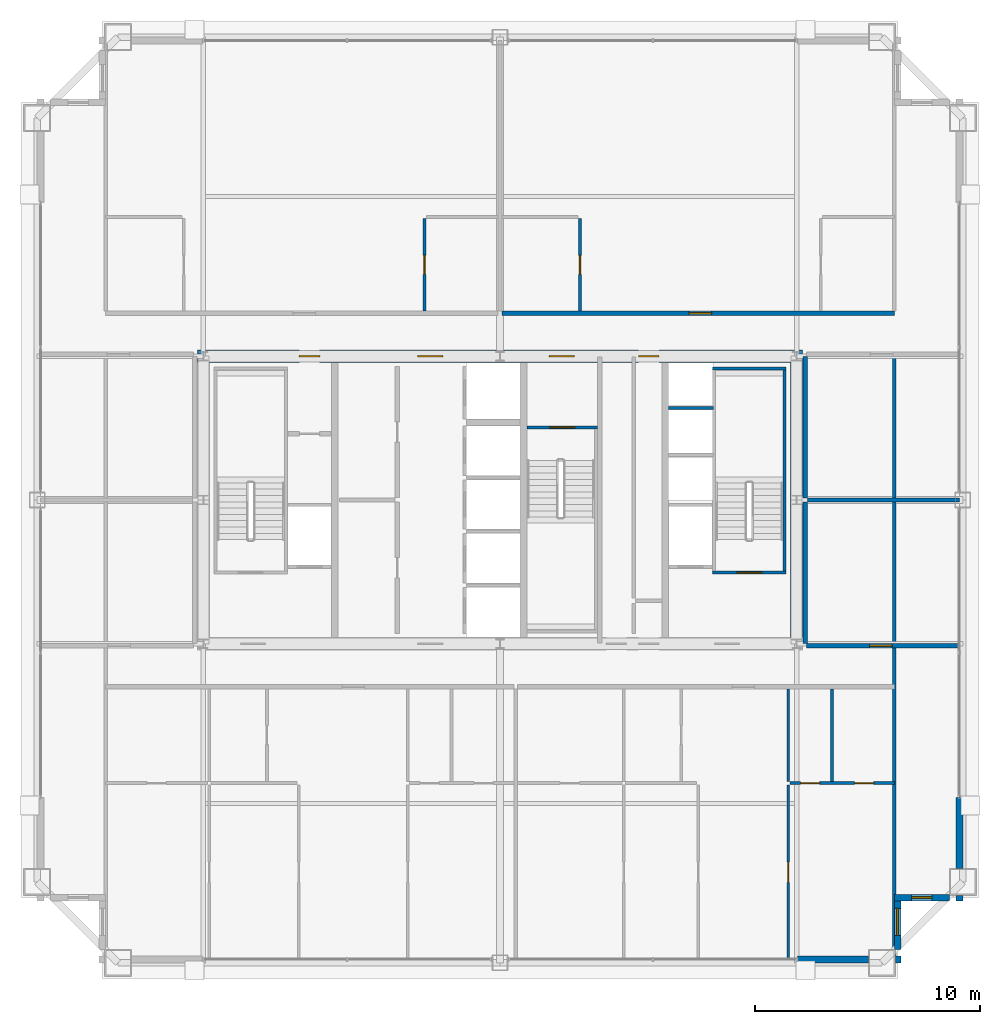
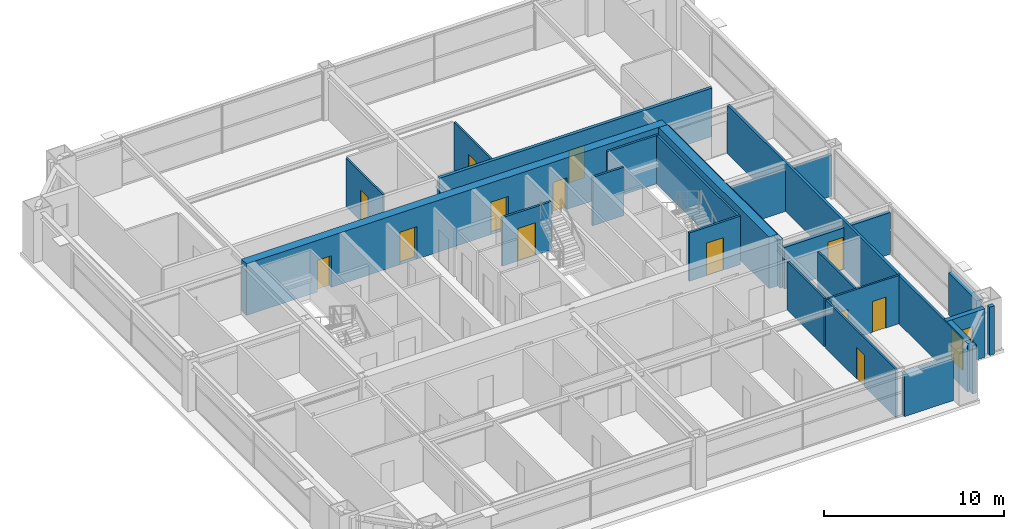
# One storey, part 34 of 36: 25 walls, 13 doors, 2 windows, 15 openings.
"""IFC4 building model written with IfcOpenShell, lengths in metres."""

from ifc_helpers import new_model, si_unit, direction, frame, frame_2d, origin, place, context, subcontext, project, spatial, rectangle, extrude, source, transform, mapped, material, layer, layer_set, type_object, element, fill, save


model = new_model("IFC4")

# Units and contexts
model_context = context("Model", 3, precision=1e-05, world=origin(), true_north=direction((0.0, 1.0)))
body_context = subcontext(model_context, "Body", "Model", "MODEL_VIEW")
ifc_project = project(units=[si_unit("LENGTHUNIT", "METRE"), si_unit("AREAUNIT", "SQUARE_METRE"), si_unit("VOLUMEUNIT", "CUBIC_METRE"), si_unit("PLANEANGLEUNIT", "RADIAN"), si_unit("MASSUNIT", "GRAM", prefix="KILO"), si_unit("THERMODYNAMICTEMPERATUREUNIT", "KELVIN"), si_unit("POWERUNIT", "WATT")], contexts=[model_context])

# Site, building, storey
site_placement = place(None, origin())
site = spatial("IfcSite", under=ifc_project, at=site_placement, CompositionType="ELEMENT")
building_placement = place(site_placement, origin())
building = spatial("IfcBuilding", under=site, at=building_placement, Name="Yuzanri Waterfront Tower", CompositionType="ELEMENT")
storey_placement = place(building_placement, frame((0.0, 0.0, 224.10009765625)))
storey = spatial("IfcBuildingStorey", under=building, at=storey_placement, Name="L59", CompositionType="ELEMENT", Elevation=224.10009765625)

# Wall, openings, doors
ifc_material_1 = material(Name="Moisture-Resistant Gypsum Stud Wall", Category="gypsum")
ifc_layer_1 = layer(ifc_material_1, 0.1201171875)
ifc_layer_set_1 = layer_set([ifc_layer_1], Name="Moisture-Resistant Gypsum Stud Wall")
wall_type_1 = type_object("IfcWallType", Name="Bathroom and Kitchen Wet Partition 120", PredefinedType="PARTITIONING", material=ifc_layer_set_1)
wall_1_placement = place(storey_placement, frame((49.9130859375, 13.199951171875, 0.0), z_axis=(0.0, 0.0, 1.0), x_axis=(1.0, 0.0, 0.0)))
wall_1 = element("IfcWall", 1, at=wall_1_placement, inside=storey, type_object=wall_type_1, Name="L59 Partition UW-L59-RS2-SUB-6-N", PredefinedType="PARTITIONING", context=body_context, shape_type="SweptSolid", body=[
    extrude(rectangle(XDim=4.64697265625, YDim=0.1201171875, at=frame_2d((2.323486328125, 0.0))), origin(), (0.0, 0.0, 1.0), 3.27978515625),
])
opening_1_placement = place(wall_1_placement, frame((2.8720703125, 0.0, 0.0)))
opening_1 = element("IfcOpeningElement", 2, at=opening_1_placement, cuts=wall_1, Name="Opening ID-0850", PredefinedType="OPENING", context=body_context, shape_type="SweptSolid", body=[
    extrude(rectangle(XDim=0.85009765625, YDim=2.10009765625, at=frame_2d((0.425048828125, 1.050048828125))), frame((0.0, 0.074951171875, 0.0), z_axis=(0.0, -1.0, 0.0), x_axis=(1.0, 0.0, 0.0)), (0.0, 0.0, 1.0), 0.14990234375),
])
opening_2_placement = place(wall_1_placement, frame((0.468505859375, 0.0, 0.0)))
opening_2 = element("IfcOpeningElement", 3, at=opening_2_placement, cuts=wall_1, Name="Opening ID-0850", PredefinedType="OPENING", context=body_context, shape_type="SweptSolid", body=[
    extrude(rectangle(XDim=0.85009765625, YDim=2.10009765625, at=frame_2d((0.425048828125, 1.050048828125))), frame((0.0, 0.074951171875, 0.0), z_axis=(0.0, -1.0, 0.0), x_axis=(1.0, 0.0, 0.0)), (0.0, 0.0, 1.0), 0.14990234375),
])
ifc_material_2 = material(Name="Moisture-Resistant Lacquered Timber", Category="wood")
door_type_1 = type_object("IfcDoorType", Name="En-Suite Bathroom and Kitchen Swing Door 850x2100", OperationType="NOTDEFINED", PredefinedType="DOOR", material=ifc_material_2)
shared_shape_1 = source(origin(), body_context, "Body", "SweptSolid", [
    extrude(rectangle(XDim=0.85009765625, YDim=2.10009765625, at=frame_2d((0.425048828125, 1.050048828125))), frame((0.0, 0.02490234375, 0.0), z_axis=(0.0, -1.0, 0.0), x_axis=(1.0, 0.0, 0.0)), (0.0, 0.0, 1.0), 0.050048828125),
])
door_1_placement = place(opening_1_placement, origin())
door_1 = element("IfcDoor", 4, at=door_1_placement, inside=storey, type_object=door_type_1, Name="L59 Suite Interior Room Door", OperationType="SINGLE_SWING_LEFT", OverallHeight=2.10009765625, OverallWidth=0.85009765625, PredefinedType="DOOR", context=body_context, shape_type="MappedRepresentation", body=[
    mapped(shared_shape_1, transform((0.0, 0.0, 0.0), scale=1.0)),
])
fill(opening_1, door_1)
door_2_placement = place(opening_2_placement, origin())
door_2 = element("IfcDoor", 5, at=door_2_placement, inside=storey, type_object=door_type_1, Name="L59 Suite Interior Room Door", OperationType="SINGLE_SWING_RIGHT", OverallHeight=2.10009765625, OverallWidth=0.85009765625, PredefinedType="DOOR", context=body_context, shape_type="MappedRepresentation", body=[
    mapped(shared_shape_1, transform((0.0, 0.0, 0.0), scale=1.0)),
])
fill(opening_2, door_2)

# Wall, opening, door
wall_2_placement = place(storey_placement, frame((49.8330078125, 5.35009765625, 0.0), z_axis=(0.0, 0.0, 1.0), x_axis=(0.0, 1.0, 0.0)))
wall_2 = element("IfcWall", 6, at=wall_2_placement, inside=storey, type_object=wall_type_1, Name="L59 Partition UW-L59-RS2-SUB-6-W", PredefinedType="PARTITIONING", context=body_context, shape_type="SweptSolid", body=[
    extrude(rectangle(XDim=7.77001953125, YDim=0.1201171875, at=frame_2d((3.885009765625, 0.0))), origin(), (0.0, 0.0, 1.0), 3.27978515625),
])
opening_3_placement = place(wall_2_placement, frame((3.43505859375, 0.0, 0.0)))
opening_3 = element("IfcOpeningElement", 7, at=opening_3_placement, cuts=wall_2, Name="Opening ID-0900", PredefinedType="OPENING", context=body_context, shape_type="SweptSolid", body=[
    extrude(rectangle(XDim=0.89990234375, YDim=2.14990234375, at=frame_2d((0.449951171875, 1.074951171875))), frame((0.0, 0.074951171875, 0.0), z_axis=(0.0, -1.0, 0.0), x_axis=(1.0, 0.0, 0.0)), (0.0, 0.0, 1.0), 0.14990234375),
])
ifc_material_3 = material(Name="Stained Walnut Veneer Timber", Category="wood")
door_type_2 = type_object("IfcDoorType", Name="Bedroom and Study Interior Swing Door 900x2150", OperationType="NOTDEFINED", PredefinedType="DOOR", material=ifc_material_3)
shared_shape_2 = source(origin(), body_context, "Body", "SweptSolid", [
    extrude(rectangle(XDim=0.89990234375, YDim=2.14990234375, at=frame_2d((0.449951171875, 1.074951171875))), frame((0.0, 0.02490234375, 0.0), z_axis=(0.0, -1.0, 0.0), x_axis=(1.0, 0.0, 0.0)), (0.0, 0.0, 1.0), 0.050048828125),
])
door_3_placement = place(opening_3_placement, origin())
door_3 = element("IfcDoor", 8, at=door_3_placement, inside=storey, type_object=door_type_2, Name="L59 Suite Interior Room Door", OperationType="SINGLE_SWING_RIGHT", OverallHeight=2.14990234375, OverallWidth=0.89990234375, PredefinedType="DOOR", context=body_context, shape_type="MappedRepresentation", body=[
    mapped(shared_shape_2, transform((0.0, 0.0, 0.0), scale=1.0)),
])
fill(opening_3, door_3)

wall_3_placement = place(storey_placement, frame((33.639892578125, 34.2099609375, 0.0), z_axis=(0.0, 0.0, 1.0), x_axis=(0.0, 1.0, 0.0)))
wall_3 = element("IfcWall", 9, at=wall_3_placement, inside=storey, type_object=wall_type_1, Name="L59 Partition UW-L59-RN1-SUB-2-W", PredefinedType="PARTITIONING", context=body_context, shape_type="SweptSolid", body=[
    extrude(rectangle(XDim=4.110107421875, YDim=0.1201171875, at=frame_2d((2.05517578125, 0.0))), origin(), (0.0, 0.0, 1.0), 3.27978515625),
])
opening_4_placement = place(wall_3_placement, frame((1.6298828125, 0.0, 0.0)))
opening_4 = element("IfcOpeningElement", 10, at=opening_4_placement, cuts=wall_3, Name="Opening ID-0850", PredefinedType="OPENING", context=body_context, shape_type="SweptSolid", body=[
    extrude(rectangle(XDim=0.85009765625, YDim=2.10009765625, at=frame_2d((0.425048828125, 1.050048828125))), frame((0.0, 0.074951171875, 0.0), z_axis=(0.0, -1.0, 0.0), x_axis=(1.0, 0.0, 0.0)), (0.0, 0.0, 1.0), 0.14990234375),
])
door_4_placement = place(opening_4_placement, origin())
door_4 = element("IfcDoor", 11, at=door_4_placement, inside=storey, type_object=door_type_1, Name="L59 Suite Interior Room Door", OperationType="SINGLE_SWING_RIGHT", OverallHeight=2.10009765625, OverallWidth=0.85009765625, PredefinedType="DOOR", context=body_context, shape_type="MappedRepresentation", body=[
    mapped(shared_shape_1, transform((0.0, 0.0, 0.0), scale=1.0)),
])
fill(opening_4, door_4)

wall_4_placement = place(storey_placement, frame((40.56005859375, 34.2099609375, 0.0), z_axis=(0.0, 0.0, 1.0), x_axis=(0.0, 1.0, 0.0)))
wall_4 = element("IfcWall", 12, at=wall_4_placement, inside=storey, type_object=wall_type_1, Name="L59 Partition UW-L59-RN2-SUB-1-E", PredefinedType="PARTITIONING", context=body_context, shape_type="SweptSolid", body=[
    extrude(rectangle(XDim=4.110107421875, YDim=0.1201171875, at=frame_2d((2.05517578125, 0.0))), origin(), (0.0, 0.0, 1.0), 3.27978515625),
])
opening_5_placement = place(wall_4_placement, frame((1.6298828125, 0.0, 0.0)))
opening_5 = element("IfcOpeningElement", 13, at=opening_5_placement, cuts=wall_4, Name="Opening ID-0850", PredefinedType="OPENING", context=body_context, shape_type="SweptSolid", body=[
    extrude(rectangle(XDim=0.85009765625, YDim=2.10009765625, at=frame_2d((0.425048828125, 1.050048828125))), frame((0.0, 0.074951171875, 0.0), z_axis=(0.0, -1.0, 0.0), x_axis=(1.0, 0.0, 0.0)), (0.0, 0.0, 1.0), 0.14990234375),
])
door_5_placement = place(opening_5_placement, origin())
door_5 = element("IfcDoor", 14, at=door_5_placement, inside=storey, type_object=door_type_1, Name="L59 Suite Interior Room Door", OperationType="SINGLE_SWING_RIGHT", OverallHeight=2.10009765625, OverallWidth=0.85009765625, PredefinedType="DOOR", context=body_context, shape_type="MappedRepresentation", body=[
    mapped(shared_shape_1, transform((0.0, 0.0, 0.0), scale=1.0)),
])
fill(opening_5, door_5)

# Wall, opening, window
ifc_material_4 = material(Name="Honed Chongqing Dark Basalt Stone", Category="masonry")
ifc_layer_2 = layer(ifc_material_4, 0.300048828125)
ifc_layer_set_2 = layer_set([ifc_layer_2], Name="Honed Chongqing Dark Basalt Stone")
wall_type_2 = type_object("IfcWallType", Name="Bronze Rainscreen Insulated Spandrel Portal Wall 300", PredefinedType="SOLIDWALL", material=ifc_layer_set_2)
wall_5_placement = place(storey_placement, frame((54.550048828125, 8.10009765625, 0.0), z_axis=(0.0, 0.0, 1.0), x_axis=(1.0, 0.0, 0.0)))
wall_5 = element("IfcWall", 15, at=wall_5_placement, inside=storey, type_object=wall_type_2, Name="L59 Notched Corner Masonry Wall SE-X", PredefinedType="SOLIDWALL", context=body_context, shape_type="SweptSolid", body=[
    extrude(rectangle(XDim=2.449951171875, YDim=0.300048828125, at=frame_2d((1.22509765625, 0.0))), origin(), (0.0, 0.0, 1.0), 3.27978515625),
])
opening_6_placement = place(wall_5_placement, frame((0.77490234375, 0.0, 0.85009765625)))
opening_6 = element("IfcOpeningElement", 16, at=opening_6_placement, cuts=wall_5, Name="Opening WN-05", PredefinedType="OPENING", context=body_context, shape_type="SweptSolid", body=[
    extrude(rectangle(XDim=0.89990234375, YDim=1.5, at=frame_2d((0.449951171875, 0.75))), frame((0.0, 0.1650390625, 0.0), z_axis=(0.0, -1.0, 0.0), x_axis=(1.0, 0.0, 0.0)), (0.0, 0.0, 1.0), 0.329833984375),
])
ifc_material_5 = material(Name="Double-Silver Low-E Insulated Glass", Category="glass")
window_type_1 = type_object("IfcWindowType", Name="Anodized Bronze Service and Stairwell Smoke-Vent Window 900x1500", PartitioningType="SINGLE_PANEL", PredefinedType="WINDOW", material=ifc_material_5)
shared_shape_3 = source(origin(), body_context, "Body", "SweptSolid", [
    extrude(rectangle(XDim=0.89990234375, YDim=1.5, at=frame_2d((0.449951171875, 0.75))), frame((0.0, 0.030029296875, 0.0), z_axis=(0.0, -1.0, 0.0), x_axis=(1.0, 0.0, 0.0)), (0.0, 0.0, 1.0), 0.06005859375),
])
window_1_placement = place(opening_6_placement, origin())
window_1 = element("IfcWindow", 17, at=window_1_placement, inside=storey, type_object=window_type_1, Name="L59 Notched Corner Window SE-X", OverallHeight=1.5, OverallWidth=0.89990234375, PartitioningType="SINGLE_PANEL", PredefinedType="WINDOW", context=body_context, shape_type="MappedRepresentation", body=[
    mapped(shared_shape_3, transform((0.0, 0.0, 0.0), scale=1.0)),
])
fill(opening_6, window_1)

wall_6_placement = place(storey_placement, frame((54.699951171875, 5.800048828125, 0.0), z_axis=(0.0, 0.0, 1.0), x_axis=(0.0, 1.0, 0.0)))
wall_6 = element("IfcWall", 18, at=wall_6_placement, inside=storey, type_object=wall_type_2, Name="L59 Notched Corner Masonry Wall SE-Y", PredefinedType="SOLIDWALL", context=body_context, shape_type="SweptSolid", body=[
    extrude(rectangle(XDim=2.449951171875, YDim=0.300048828125, at=frame_2d((1.22509765625, 0.0))), origin(), (0.0, 0.0, 1.0), 3.27978515625),
])
opening_7_placement = place(wall_6_placement, frame((0.625, 0.0, 0.85009765625)))
opening_7 = element("IfcOpeningElement", 19, at=opening_7_placement, cuts=wall_6, Name="Opening WN-02", PredefinedType="OPENING", context=body_context, shape_type="SweptSolid", body=[
    extrude(rectangle(XDim=1.199951171875, YDim=2.10009765625, at=frame_2d((0.60009765625, 1.050048828125))), frame((0.0, 0.1650390625, 0.0), z_axis=(0.0, -1.0, 0.0), x_axis=(1.0, 0.0, 0.0)), (0.0, 0.0, 1.0), 0.329833984375),
])
ifc_material_6 = material(Name="Double-Silver Low-E Insulated Glass", Category="glass")
window_type_2 = type_object("IfcWindowType", Name="Anodized Bronze Notched Corner Deep-Set Slot Window 1200x2100", PartitioningType="SINGLE_PANEL", PredefinedType="WINDOW", material=ifc_material_6)
shared_shape_4 = source(origin(), body_context, "Body", "SweptSolid", [
    extrude(rectangle(XDim=1.199951171875, YDim=2.10009765625, at=frame_2d((0.60009765625, 1.050048828125))), frame((0.0, 0.030029296875, 0.0), z_axis=(0.0, -1.0, 0.0), x_axis=(1.0, 0.0, 0.0)), (0.0, 0.0, 1.0), 0.06005859375),
])
window_2_placement = place(opening_7_placement, origin())
window_2 = element("IfcWindow", 20, at=window_2_placement, inside=storey, type_object=window_type_2, Name="L59 Notched Corner Window SE-Y", OverallHeight=2.10009765625, OverallWidth=1.199951171875, PartitioningType="SINGLE_PANEL", PredefinedType="WINDOW", context=body_context, shape_type="MappedRepresentation", body=[
    mapped(shared_shape_4, transform((0.0, 0.0, 0.0), scale=1.0)),
])
fill(opening_7, window_2)

# Wall, openings, doors
ifc_material_7 = material(Name="Concrete C50", Category="concrete")
ifc_layer_3 = layer(ifc_material_7, 0.550048828125)
ifc_layer_set_3 = layer_set([ifc_layer_3], Name="Concrete C50")
wall_type_3 = type_object("IfcWallType", Name="Concrete C50 Upper-Mid Zone Core Shear Wall 550", PredefinedType="SHEAR", material=ifc_layer_set_3)
wall_7_placement = place(storey_placement, frame((23.52490234375, 32.199951171875, 0.0), z_axis=(0.0, 0.0, 1.0), x_axis=(1.0, 0.0, 0.0)))
wall_7 = element("IfcWall", 21, at=wall_7_placement, inside=storey, type_object=wall_type_3, Name="L59 Core North Shear Wall", PredefinedType="SHEAR", context=body_context, shape_type="SweptSolid", body=[
    extrude(rectangle(XDim=26.9501953125, YDim=0.550048828125, at=frame_2d((13.47509765625, 0.0))), origin(), (0.0, 0.0, 1.0), 3.5),
])
opening_8_placement = place(wall_7_placement, frame((4.544921875, 0.0, 0.0)))
opening_8 = element("IfcOpeningElement", 22, at=opening_8_placement, cuts=wall_7, Name="Opening FD-0900", PredefinedType="OPENING", context=body_context, shape_type="SweptSolid", body=[
    extrude(rectangle(XDim=0.89990234375, YDim=2.14990234375, at=frame_2d((0.449951171875, 1.074951171875))), frame((0.0, 0.2900390625, 0.0), z_axis=(0.0, -1.0, 0.0), x_axis=(1.0, 0.0, 0.0)), (0.0, 0.0, 1.0), 0.579833984375),
])
opening_9_placement = place(wall_7_placement, frame((9.824951171875, 0.0, 0.0)))
opening_9 = element("IfcOpeningElement", 23, at=opening_9_placement, cuts=wall_7, Name="Opening FD-1100", PredefinedType="OPENING", context=body_context, shape_type="SweptSolid", body=[
    extrude(rectangle(XDim=1.10009765625, YDim=2.199951171875, at=frame_2d((0.550048828125, 1.10009765625))), frame((0.0, 0.2900390625, 0.0), z_axis=(0.0, -1.0, 0.0), x_axis=(1.0, 0.0, 0.0)), (0.0, 0.0, 1.0), 0.579833984375),
])
opening_10_placement = place(wall_7_placement, frame((15.675048828125, 0.0, 0.0)))
opening_10 = element("IfcOpeningElement", 24, at=opening_10_placement, cuts=wall_7, Name="Opening FD-1100", PredefinedType="OPENING", context=body_context, shape_type="SweptSolid", body=[
    extrude(rectangle(XDim=1.10009765625, YDim=2.199951171875, at=frame_2d((0.550048828125, 1.10009765625))), frame((0.0, 0.2900390625, 0.0), z_axis=(0.0, -1.0, 0.0), x_axis=(1.0, 0.0, 0.0)), (0.0, 0.0, 1.0), 0.579833984375),
])
opening_11_placement = place(wall_7_placement, frame((19.64501953125, 0.0, 0.0)))
opening_11 = element("IfcOpeningElement", 25, at=opening_11_placement, cuts=wall_7, Name="Opening FD-0900", PredefinedType="OPENING", context=body_context, shape_type="SweptSolid", body=[
    extrude(rectangle(XDim=0.89990234375, YDim=2.14990234375, at=frame_2d((0.449951171875, 1.074951171875))), frame((0.0, 0.2900390625, 0.0), z_axis=(0.0, -1.0, 0.0), x_axis=(1.0, 0.0, 0.0)), (0.0, 0.0, 1.0), 0.579833984375),
])
ifc_material_8 = material(Name="Painted Galvanized Fire Steel", Category="steel")
door_type_3 = type_object("IfcDoorType", Name="Smoke-Proof Stair and Lobby Fire Door 1100x2200", OperationType="NOTDEFINED", PredefinedType="DOOR", material=ifc_material_8)
shared_shape_5 = source(origin(), body_context, "Body", "SweptSolid", [
    extrude(rectangle(XDim=1.10009765625, YDim=2.199951171875, at=frame_2d((0.550048828125, 1.10009765625))), frame((0.0, 0.02490234375, 0.0), z_axis=(0.0, -1.0, 0.0), x_axis=(1.0, 0.0, 0.0)), (0.0, 0.0, 1.0), 0.050048828125),
])
door_6_placement = place(opening_9_placement, origin())
door_6 = element("IfcDoor", 26, at=door_6_placement, inside=storey, type_object=door_type_3, Name="L59 Central Lift Lobby North Door", OperationType="SINGLE_SWING_RIGHT", OverallHeight=2.199951171875, OverallWidth=1.10009765625, PredefinedType="DOOR", context=body_context, shape_type="MappedRepresentation", body=[
    mapped(shared_shape_5, transform((0.0, 0.0, 0.0), scale=1.0)),
])
fill(opening_9, door_6)
door_7_placement = place(opening_10_placement, origin())
door_7 = element("IfcDoor", 27, at=door_7_placement, inside=storey, type_object=door_type_3, Name="L59 North Stair Lobby Door", OperationType="SINGLE_SWING_LEFT", OverallHeight=2.199951171875, OverallWidth=1.10009765625, PredefinedType="DOOR", context=body_context, shape_type="MappedRepresentation", body=[
    mapped(shared_shape_5, transform((0.0, 0.0, 0.0), scale=1.0)),
])
fill(opening_10, door_7)
ifc_material_9 = material(Name="Painted Galvanized Fire Steel", Category="steel")
door_type_4 = type_object("IfcDoorType", Name="Riser and Service Room Fire Door 900x2150", OperationType="NOTDEFINED", PredefinedType="DOOR", material=ifc_material_9)
shared_shape_6 = source(origin(), body_context, "Body", "SweptSolid", [
    extrude(rectangle(XDim=0.89990234375, YDim=2.14990234375, at=frame_2d((0.449951171875, 1.074951171875))), frame((0.0, 0.02490234375, 0.0), z_axis=(0.0, -1.0, 0.0), x_axis=(1.0, 0.0, 0.0)), (0.0, 0.0, 1.0), 0.050048828125),
])
door_8_placement = place(opening_8_placement, origin())
door_8 = element("IfcDoor", 28, at=door_8_placement, inside=storey, type_object=door_type_4, Name="L59 Telecom Riser Door", OperationType="SINGLE_SWING_LEFT", OverallHeight=2.14990234375, OverallWidth=0.89990234375, PredefinedType="DOOR", context=body_context, shape_type="MappedRepresentation", body=[
    mapped(shared_shape_6, transform((0.0, 0.0, 0.0), scale=1.0)),
])
fill(opening_8, door_8)
door_9_placement = place(opening_11_placement, origin())
door_9 = element("IfcDoor", 29, at=door_9_placement, inside=storey, type_object=door_type_4, Name="L59 Linen Store Room", OperationType="SINGLE_SWING_LEFT", OverallHeight=2.14990234375, OverallWidth=0.89990234375, PredefinedType="DOOR", context=body_context, shape_type="MappedRepresentation", body=[
    mapped(shared_shape_6, transform((0.0, 0.0, 0.0), scale=1.0)),
])
fill(opening_11, door_9)

# Wall, opening, door
ifc_material_10 = material(Name="Concrete C40", Category="concrete")
ifc_layer_4 = layer(ifc_material_10, 0.139892578125)
ifc_layer_set_4 = layer_set([ifc_layer_4], Name="Concrete C40")
wall_type_4 = type_object("IfcWallType", Name="Core Stair Liner and Hoistway Shaft Wall 140", PredefinedType="SOLIDWALL", material=ifc_layer_set_4)
wall_8_placement = place(storey_placement, frame((46.4599609375, 22.570068359375, 0.0), z_axis=(0.0, 0.0, 1.0), x_axis=(1.0, 0.0, 0.0)))
wall_8 = element("IfcWall", 30, at=wall_8_placement, inside=storey, type_object=wall_type_4, Name="L59 Shaft Wall STW-L59-ST-02-S", PredefinedType="SOLIDWALL", context=body_context, shape_type="SweptSolid", body=[
    extrude(rectangle(XDim=3.280029296875, YDim=0.139892578125, at=frame_2d((1.64013671875, 0.0))), origin(), (0.0, 0.0, 1.0), 3.27978515625),
])
opening_12_placement = place(wall_8_placement, frame((1.090087890625, 0.0, 0.0)))
opening_12 = element("IfcOpeningElement", 31, at=opening_12_placement, cuts=wall_8, Name="Opening FD-1100", PredefinedType="OPENING", context=body_context, shape_type="SweptSolid", body=[
    extrude(rectangle(XDim=1.10009765625, YDim=2.199951171875, at=frame_2d((0.550048828125, 1.10009765625))), frame((0.0, 0.0849609375, 0.0), z_axis=(0.0, -1.0, 0.0), x_axis=(1.0, 0.0, 0.0)), (0.0, 0.0, 1.0), 0.169677734375),
])
door_10_placement = place(opening_12_placement, origin())
door_10 = element("IfcDoor", 32, at=door_10_placement, inside=storey, type_object=door_type_3, Name="L59 Stair ST-02 Fire Door", OperationType="SINGLE_SWING_RIGHT", OverallHeight=2.199951171875, OverallWidth=1.10009765625, PredefinedType="DOOR", context=body_context, shape_type="MappedRepresentation", body=[
    mapped(shared_shape_5, transform((0.0, 0.0, 0.0), scale=1.0)),
])
fill(opening_12, door_10)

wall_9_placement = place(storey_placement, frame((38.199951171875, 29.030029296875, 0.0), z_axis=(0.0, 0.0, 1.0), x_axis=(1.0, 0.0, 0.0)))
wall_9 = element("IfcWall", 33, at=wall_9_placement, inside=storey, type_object=wall_type_4, Name="L59 Shaft Wall STW-L59-ST-03-N", PredefinedType="SOLIDWALL", context=body_context, shape_type="SweptSolid", body=[
    extrude(rectangle(XDim=3.14013671875, YDim=0.139892578125, at=frame_2d((1.570068359375, 0.0))), origin(), (0.0, 0.0, 1.0), 3.27978515625),
])
opening_13_placement = place(wall_9_placement, frame((1.02001953125, 0.0, 0.0)))
opening_13 = element("IfcOpeningElement", 34, at=opening_13_placement, cuts=wall_9, Name="Opening FD-1100", PredefinedType="OPENING", context=body_context, shape_type="SweptSolid", body=[
    extrude(rectangle(XDim=1.10009765625, YDim=2.199951171875, at=frame_2d((0.550048828125, 1.10009765625))), frame((0.0, 0.0849609375, 0.0), z_axis=(0.0, -1.0, 0.0), x_axis=(1.0, 0.0, 0.0)), (0.0, 0.0, 1.0), 0.169677734375),
])
door_11_placement = place(opening_13_placement, origin())
door_11 = element("IfcDoor", 35, at=door_11_placement, inside=storey, type_object=door_type_3, Name="L59 Stair ST-03 Fire Door", OperationType="SINGLE_SWING_LEFT", OverallHeight=2.199951171875, OverallWidth=1.10009765625, PredefinedType="DOOR", context=body_context, shape_type="MappedRepresentation", body=[
    mapped(shared_shape_5, transform((0.0, 0.0, 0.0), scale=1.0)),
])
fill(opening_13, door_11)

ifc_material_11 = material(Name="Autoclaved Aerated Concrete Blockwork", Category="masonry")
ifc_layer_5 = layer(ifc_material_11, 0.199951171875)
ifc_layer_set_5 = layer_set([ifc_layer_5], Name="Autoclaved Aerated Concrete Blockwork")
wall_type_5 = type_object("IfcWallType", Name="Corridor and Unit Party Fire Wall 200", PredefinedType="PARTITIONING", material=ifc_layer_set_5)
wall_10_placement = place(storey_placement, frame((37.080078125, 34.110107421875, 0.0), z_axis=(0.0, 0.0, 1.0), x_axis=(1.0, 0.0, 0.0)))
wall_10 = element("IfcWall", 36, at=wall_10_placement, inside=storey, type_object=wall_type_5, Name="L59 Partition UW-L59-RN2-CS", PredefinedType="PARTITIONING", context=body_context, shape_type="SweptSolid", body=[
    extrude(rectangle(XDim=17.47998046875, YDim=0.199951171875, at=frame_2d((8.739990234375, 0.0))), origin(), (0.0, 0.0, 1.0), 3.27978515625),
])
opening_14_placement = place(wall_10_placement, frame((8.340087890625, 0.0, 0.0)))
opening_14 = element("IfcOpeningElement", 37, at=opening_14_placement, cuts=wall_10, Name="Opening FD-1000", PredefinedType="OPENING", context=body_context, shape_type="SweptSolid", body=[
    extrude(rectangle(XDim=1.0, YDim=2.199951171875, at=frame_2d((0.5, 1.10009765625))), frame((0.0, 0.11474609375, 0.0), z_axis=(0.0, -1.0, 0.0), x_axis=(1.0, 0.0, 0.0)), (0.0, 0.0, 1.0), 0.229736328125),
])
ifc_material_12 = material(Name="Engineered Oak Fire-Rated Timber", Category="wood")
door_type_5 = type_object("IfcDoorType", Name="Guestroom and Apartment Entrance Fire Door 1000x2200", OperationType="NOTDEFINED", PredefinedType="DOOR", material=ifc_material_12)
shared_shape_7 = source(origin(), body_context, "Body", "SweptSolid", [
    extrude(rectangle(XDim=1.0, YDim=2.199951171875, at=frame_2d((0.5, 1.10009765625))), frame((0.0, 0.02490234375, 0.0), z_axis=(0.0, -1.0, 0.0), x_axis=(1.0, 0.0, 0.0)), (0.0, 0.0, 1.0), 0.050048828125),
])
door_12_placement = place(opening_14_placement, origin())
door_12 = element("IfcDoor", 38, at=door_12_placement, inside=storey, type_object=door_type_5, Name="L59 Studio Living and Sleeping Room Entrance Door", OperationType="SINGLE_SWING_LEFT", OverallHeight=2.199951171875, OverallWidth=1.0, PredefinedType="DOOR", context=body_context, shape_type="MappedRepresentation", body=[
    mapped(shared_shape_7, transform((0.0, 0.0, 0.0), scale=1.0)),
])
fill(opening_14, door_12)

wall_11_placement = place(storey_placement, frame((50.64990234375, 19.31005859375, 0.0), z_axis=(0.0, 0.0, 1.0), x_axis=(1.0, 0.0, 0.0)))
wall_11 = element("IfcWall", 39, at=wall_11_placement, inside=storey, type_object=wall_type_5, Name="L59 Partition UW-L59-041-CS", PredefinedType="PARTITIONING", context=body_context, shape_type="SweptSolid", body=[
    extrude(rectangle(XDim=6.800048828125, YDim=0.199951171875, at=frame_2d((3.39990234375, 0.0))), origin(), (0.0, 0.0, 1.0), 2.824951171875),
])
opening_15_placement = place(wall_11_placement, frame((2.800048828125, 0.0, 0.0)))
opening_15 = element("IfcOpeningElement", 40, at=opening_15_placement, cuts=wall_11, Name="Opening FD-1000", PredefinedType="OPENING", context=body_context, shape_type="SweptSolid", body=[
    extrude(rectangle(XDim=1.0, YDim=2.199951171875, at=frame_2d((0.5, 1.10009765625))), frame((0.0, 0.11474609375, 0.0), z_axis=(0.0, -1.0, 0.0), x_axis=(1.0, 0.0, 0.0)), (0.0, 0.0, 1.0), 0.229736328125),
])
door_13_placement = place(opening_15_placement, origin())
door_13 = element("IfcDoor", 41, at=door_13_placement, inside=storey, type_object=door_type_5, Name="L59 Residents E Boardroom Meeting Room Entrance Door", OperationType="SINGLE_SWING_RIGHT", OverallHeight=2.199951171875, OverallWidth=1.0, PredefinedType="DOOR", context=body_context, shape_type="MappedRepresentation", body=[
    mapped(shared_shape_7, transform((0.0, 0.0, 0.0), scale=1.0)),
])
fill(opening_15, door_13)

# Walls
shared_shape_8 = source(origin(), body_context, "Body", "SweptSolid", [
    extrude(rectangle(XDim=12.25, YDim=0.550048828125, at=frame_2d((6.125, 0.0))), origin(), (0.0, 0.0, 1.0), 3.5),
])
wall_12_placement = place(storey_placement, frame((50.199951171875, 19.675048828125, 0.0), z_axis=(0.0, 0.0, 1.0), x_axis=(0.0, 1.0, 0.0)))
element("IfcWall", 42, at=wall_12_placement, inside=storey, type_object=wall_type_3, Name="L59 Core East Shear Wall", PredefinedType="SHEAR", context=body_context, shape_type="MappedRepresentation", body=[
    mapped(shared_shape_8, transform((0.0, 0.0, 0.0), scale=1.0)),
])
shared_shape_9 = source(origin(), body_context, "Body", "SweptSolid", [
    extrude(rectangle(XDim=0.25, YDim=0.300048828125, at=frame_2d((0.125, 0.0))), origin(), (0.0, 0.0, 1.0), 3.27978515625),
])
for number, where, z_axis, x_axis, name in (
    (43, (54.60009765625, 5.35009765625, 0.0), (0.0, 0.0, 1.0), (1.0, 0.0, 0.0), "L59 Corner Column Shoulder Return CSE"),
    (44, (57.449951171875, 7.949951171875, 0.0), (0.0, 0.0, 1.0), (0.0, 1.0, 0.0), "L59 Corner Column Shoulder Return CES"),
):
    element("IfcWall", number, at=place(storey_placement, frame(where, z_axis=z_axis, x_axis=x_axis)), inside=storey, type_object=wall_type_2, Name=name, PredefinedType="SOLIDWALL", context=body_context, shape_type="MappedRepresentation", body=[
        mapped(shared_shape_9, transform((0.0, 0.0, 0.0), scale=1.0)),
    ])
shared_shape_10 = source(origin(), body_context, "Body", "SweptSolid", [
    extrude(rectangle(XDim=3.14990234375, YDim=0.300048828125, at=frame_2d((1.574951171875, 0.0))), origin(), (0.0, 0.0, 1.0), 2.8349609375),
])
wall_13_placement = place(storey_placement, frame((50.25, 5.35009765625, 0.0), z_axis=(0.0, 0.0, 1.0), x_axis=(1.0, 0.0, 0.0)))
element("IfcWall", 45, at=wall_13_placement, inside=storey, type_object=wall_type_2, Name="L59 S Right Braced Masonry Shoulder", PredefinedType="SOLIDWALL", context=body_context, shape_type="MappedRepresentation", body=[
    mapped(shared_shape_10, transform((0.0, 0.0, 0.0), scale=1.0)),
])
shared_shape_11 = source(origin(), body_context, "Body", "SweptSolid", [
    extrude(rectangle(XDim=3.150146484375, YDim=0.300048828125, at=frame_2d((1.5751953125, 0.0))), origin(), (0.0, 0.0, 1.0), 2.8349609375),
])
wall_14_placement = place(storey_placement, frame((57.449951171875, 9.39990234375, 0.0), z_axis=(0.0, 0.0, 1.0), x_axis=(0.0, 1.0, 0.0)))
element("IfcWall", 46, at=wall_14_placement, inside=storey, type_object=wall_type_2, Name="L59 E Left Braced Masonry Shoulder", PredefinedType="SOLIDWALL", context=body_context, shape_type="MappedRepresentation", body=[
    mapped(shared_shape_11, transform((0.0, 0.0, 0.0), scale=1.0)),
])
shared_shape_12 = source(origin(), body_context, "Body", "SweptSolid", [
    extrude(rectangle(XDim=2.0, YDim=0.139892578125, at=frame_2d((1.0, 0.0))), origin(), (0.0, 0.0, 1.0), 3.27978515625),
])
wall_15_placement = place(storey_placement, frame((44.5, 29.89990234375, 0.0), z_axis=(0.0, 0.0, 1.0), x_axis=(1.0, 0.0, 0.0)))
element("IfcWall", 47, at=wall_15_placement, inside=storey, type_object=wall_type_4, Name="L59 Lift PL-10 Divider Wall", PredefinedType="SOLIDWALL", context=body_context, shape_type="MappedRepresentation", body=[
    mapped(shared_shape_12, transform((0.0, 0.0, 0.0), scale=1.0)),
])
shared_shape_13 = source(origin(), body_context, "Body", "SweptSolid", [
    extrude(rectangle(XDim=3.280029296875, YDim=0.139892578125, at=frame_2d((1.64013671875, 0.0))), origin(), (0.0, 0.0, 1.0), 3.27978515625),
])
wall_16_placement = place(storey_placement, frame((46.4599609375, 31.64990234375, 0.0), z_axis=(0.0, 0.0, 1.0), x_axis=(1.0, 0.0, 0.0)))
element("IfcWall", 48, at=wall_16_placement, inside=storey, type_object=wall_type_4, Name="L59 Stair ST-02 North Shaft Wall", PredefinedType="SOLIDWALL", context=body_context, shape_type="MappedRepresentation", body=[
    mapped(shared_shape_13, transform((0.0, 0.0, 0.0), scale=1.0)),
])
shared_shape_14 = source(origin(), body_context, "Body", "SweptSolid", [
    extrude(rectangle(XDim=8.940185546875, YDim=0.139892578125, at=frame_2d((4.47021484375, 0.0))), origin(), (0.0, 0.0, 1.0), 3.27978515625),
])
wall_17_placement = place(storey_placement, frame((49.669921875, 22.639892578125, 0.0), z_axis=(0.0, 0.0, 1.0), x_axis=(0.0, 1.0, 0.0)))
element("IfcWall", 49, at=wall_17_placement, inside=storey, type_object=wall_type_4, Name="L59 Stair ST-02 East Shaft Wall", PredefinedType="SOLIDWALL", context=body_context, shape_type="MappedRepresentation", body=[
    mapped(shared_shape_14, transform((0.0, 0.0, 0.0), scale=1.0)),
])
shared_shape_15 = source(origin(), body_context, "Body", "SweptSolid", [
    extrude(rectangle(XDim=4.10986328125, YDim=0.1201171875, at=frame_2d((2.054931640625, 0.0))), origin(), (0.0, 0.0, 1.0), 3.27978515625),
])
for number, where, z_axis, x_axis, name in (
    (50, (51.780029296875, 13.280029296875, 0.0), (0.0, 0.0, 1.0), (0.0, 1.0, 0.0), "L59 Partition UW-L59-RS2-SUB-3-W"),
    (51, (49.8330078125, 13.280029296875, 0.0), (0.0, 0.0, 1.0), (0.0, 1.0, 0.0), "L59 Partition UW-L59-RS2-SUB-4-W"),
):
    element("IfcWall", number, at=place(storey_placement, frame(where, z_axis=z_axis, x_axis=x_axis)), inside=storey, type_object=wall_type_1, Name=name, PredefinedType="PARTITIONING", context=body_context, shape_type="MappedRepresentation", body=[
        mapped(shared_shape_15, transform((0.0, 0.0, 0.0), scale=1.0)),
    ])
shared_shape_16 = source(origin(), body_context, "Body", "SweptSolid", [
    extrude(rectangle(XDim=6.764892578125, YDim=0.199951171875, at=frame_2d((3.38232421875, 0.0))), origin(), (0.0, 0.0, 1.0), 2.786865234375),
])
wall_18_placement = place(storey_placement, frame((50.68505859375, 25.800048828125, 0.0), z_axis=(0.0, 0.0, 1.0), x_axis=(1.0, 0.0, 0.0)))
element("IfcWall", 52, at=wall_18_placement, inside=storey, type_object=wall_type_5, Name="L59-041 Wing North Wall", PredefinedType="PARTITIONING", context=body_context, shape_type="MappedRepresentation", body=[
    mapped(shared_shape_16, transform((0.0, 0.0, 0.0), scale=1.0)),
])
shared_shape_17 = source(origin(), body_context, "Body", "SweptSolid", [
    extrude(rectangle(XDim=6.2900390625, YDim=0.199951171875, at=frame_2d((3.14501953125, 0.0))), origin(), (0.0, 0.0, 1.0), 3.27978515625),
])
for number, where, z_axis, x_axis, name in (
    (53, (50.580078125, 19.409912109375, 0.0), (0.0, 0.0, 1.0), (0.0, 1.0, 0.0), "L59-041 Wing Inner Core-Side Wall"),
    (54, (50.580078125, 25.89990234375, 0.0), (0.0, 0.0, 1.0), (0.0, 1.0, 0.0), "L59-042 Wing Inner Core-Side Wall"),
):
    element("IfcWall", number, at=place(storey_placement, frame(where, z_axis=z_axis, x_axis=x_axis)), inside=storey, type_object=wall_type_5, Name=name, PredefinedType="PARTITIONING", context=body_context, shape_type="MappedRepresentation", body=[
        mapped(shared_shape_17, transform((0.0, 0.0, 0.0), scale=1.0)),
    ])
ifc_material_13 = material(Name="Gypsum Fireboard Acoustic Stud Wall", Category="gypsum")
ifc_layer_6 = layer(ifc_material_13, 0.159912109375)
ifc_layer_set_6 = layer_set([ifc_layer_6], Name="Gypsum Fireboard Acoustic Stud Wall")
wall_type_6 = type_object("IfcWallType", Name="Acoustic Suite Demising Partition 160", PredefinedType="PARTITIONING", material=ifc_layer_set_6)
shared_shape_18 = source(origin(), body_context, "Body", "SweptSolid", [
    extrude(rectangle(XDim=26.68994140625, YDim=0.159912109375, at=frame_2d((13.344970703125, 0.0))), origin(), (0.0, 0.0, 1.0), 3.27978515625),
])
wall_19_placement = place(storey_placement, frame((54.550048828125, 5.5, 0.0), z_axis=(0.0, 0.0, 1.0), x_axis=(0.0, 1.0, 0.0)))
element("IfcWall", 55, at=wall_19_placement, inside=storey, type_object=wall_type_6, Name="L59 South Band East End Wall", PredefinedType="PARTITIONING", context=body_context, shape_type="MappedRepresentation", body=[
    mapped(shared_shape_18, transform((0.0, 0.0, 0.0), scale=1.0)),
])

save(model, "model.ifc")
